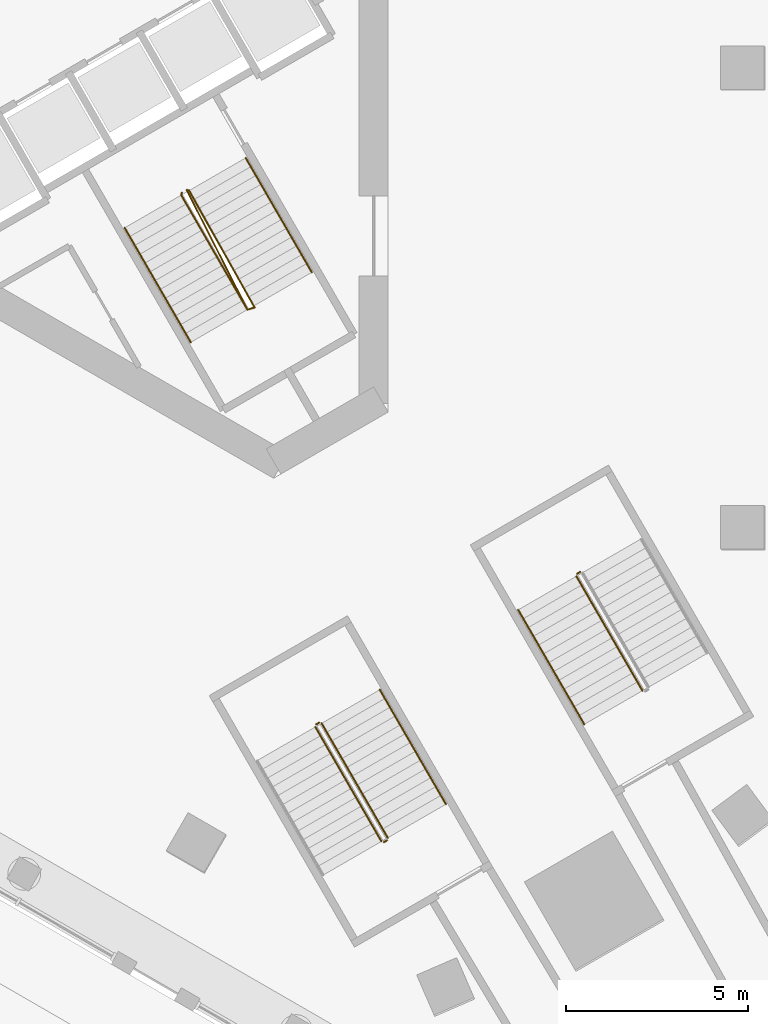
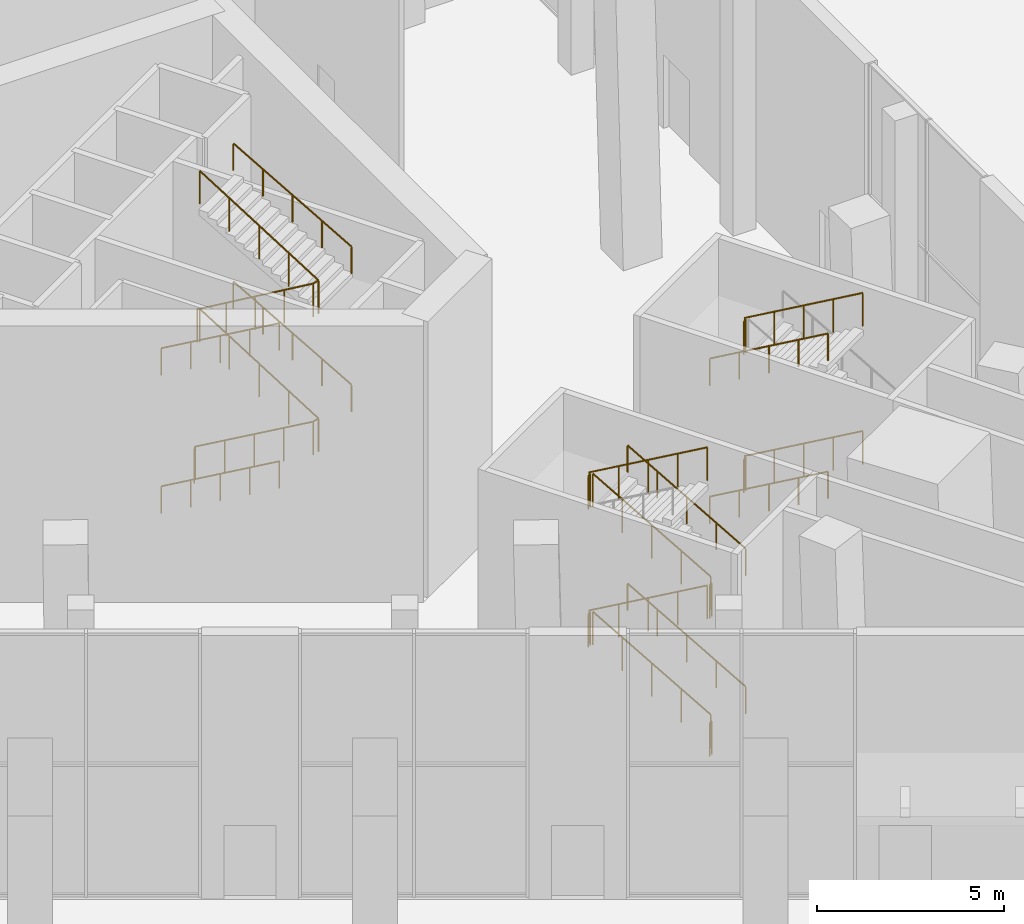
# One storey, part 45 of 63: 21 railings.
"""IFC4 building model written with IfcOpenShell, lengths in metres."""

from ifc_helpers import new_model, si_unit, direction, frame, origin, origin_2d, place, context, subcontext, project, spatial, circle, extrude, material, type_object, element, save


model = new_model("IFC4")

# Units and contexts
model_context = context("Model", 3, precision=1e-05, world=origin(), true_north=direction((0.0, 1.0)))
body_context = subcontext(model_context, "Body", "Model", "MODEL_VIEW")
ifc_project = project(units=[si_unit("LENGTHUNIT", "METRE"), si_unit("AREAUNIT", "SQUARE_METRE"), si_unit("VOLUMEUNIT", "CUBIC_METRE"), si_unit("PLANEANGLEUNIT", "RADIAN"), si_unit("MASSUNIT", "GRAM", prefix="KILO")], contexts=[model_context])

# Site, building, storey
site_placement = place(None, origin())
site = spatial("IfcSite", under=ifc_project, at=site_placement, CompositionType="ELEMENT")
building_placement = place(site_placement, origin())
building = spatial("IfcBuilding", under=site, at=building_placement, Name="Jabali Bay Hotel Tower and Convention Centre", CompositionType="ELEMENT")
storey_placement = place(building_placement, origin())
storey = spatial("IfcBuildingStorey", under=building, at=storey_placement, Name="L00", CompositionType="ELEMENT", Elevation=0.0)

# Railings
ifc_material = material(Name="Steel Q355B", Category="steel")
railing_type_1 = type_object("IfcRailingType", Name="Stair guard 1100", PredefinedType="GUARDRAIL", material=ifc_material)
railing_1_placement = place(storey_placement, frame((84.199951171875, 63.9150390625, 0.0)))
element("IfcRailing", 1, at=railing_1_placement, inside=storey, type_object=railing_type_1, Name="L00 ST3 stair guard 1", PredefinedType="GUARDRAIL", context=body_context, shape_type="SweptSolid", body=[
    extrude(circle(Radius=0.02392578125, at=origin_2d()), frame((0.0, 0.0, 1.076171875), z_axis=(-0.104308719029, -0.389419217707, 0.91513516161), x_axis=(0.965948051503, -0.258736085224, 0.0)), (0.0, 0.0, 1.0), 0.175537109375),
    extrude(circle(Radius=0.02392578125, at=origin_2d()), frame((-0.018310546875, -0.068359375, 1.23681640625), z_axis=(0.433652999409, -0.751083504812, 0.49781386572), x_axis=(0.866018046521, 0.500012742938, 0.0)), (0.0, 0.0, 1.0), 4.197021484375),
    extrude(circle(Radius=0.02392578125, at=origin_2d()), frame((1.8017578125, -3.220703125, 3.326171875), z_axis=(0.96121063429, 0.275815366736, 0.0), x_axis=(-0.275815366736, 0.96121063429, 0.0)), (0.0, 0.0, 1.0), 0.206298828125),
    extrude(circle(Radius=0.02392578125, at=origin_2d()), frame((2.0, -3.163818359375, 3.326171875), z_axis=(-0.416874951572, 0.745121610595, 0.520585305378), x_axis=(-0.872702246529, -0.488252792008, 0.0)), (0.0, 0.0, 1.0), 4.322021484375),
    extrude(circle(Radius=0.02392578125, at=origin_2d()), frame((0.1982421875, 0.056640625, 5.576171875), z_axis=(-0.965948051503, 0.258736085224, 0.0), x_axis=(-0.258736085224, -0.965948051503, 0.0)), (0.0, 0.0, 1.0), 0.07080078125),
    extrude(circle(Radius=0.02392578125, at=origin_2d()), frame((0.1298828125, 0.074951171875, 5.576171875), z_axis=(0.386422533672, -0.761728648078, 0.52004527896), x_axis=(0.891809086538, 0.452411928632, 0.0)), (0.0, 0.0, 1.0), 4.32666015625),
    extrude(circle(Radius=0.02392578125, at=origin_2d()), frame((1.8017578125, -3.220703125, 7.826171875), z_axis=(0.96121063429, 0.275815366736, 0.0), x_axis=(-0.275815366736, 0.96121063429, 0.0)), (0.0, 0.0, 1.0), 0.206298828125),
    extrude(circle(Radius=0.02392578125, at=origin_2d()), frame((2.0, -3.163818359375, 7.826171875), z_axis=(-0.416874951572, 0.745121610595, 0.520585305378), x_axis=(-0.872702246529, -0.488252792008, 0.0)), (0.0, 0.0, 1.0), 4.322021484375),
    extrude(circle(Radius=0.02099609375, at=origin_2d()), origin(), (0.0, 0.0, 1.0), 1.052001953125),
    extrude(circle(Radius=0.02099609375, at=origin_2d()), frame((-0.018310546875, -0.068359375, 0.16064453125)), (0.0, 0.0, 1.0), 1.052001953125),
    extrude(circle(Radius=0.02099609375, at=origin_2d()), frame((0.436767578125, -0.8564453125, 0.68310546875)), (0.0, 0.0, 1.0), 1.052001953125),
    extrude(circle(Radius=0.02099609375, at=origin_2d()), frame((0.8916015625, -1.64453125, 1.205322265625)), (0.0, 0.0, 1.0), 1.052001953125),
    extrude(circle(Radius=0.02099609375, at=origin_2d()), frame((1.3466796875, -2.4326171875, 1.7275390625)), (0.0, 0.0, 1.0), 1.052001953125),
    extrude(circle(Radius=0.02099609375, at=origin_2d()), frame((1.8017578125, -3.220703125, 2.25)), (0.0, 0.0, 1.0), 1.052001953125),
    extrude(circle(Radius=0.02099609375, at=origin_2d()), frame((2.0, -3.163818359375, 2.25)), (0.0, 0.0, 1.0), 1.052001953125),
    extrude(circle(Radius=0.02099609375, at=origin_2d()), frame((1.549560546875, -2.358642578125, 2.8125)), (0.0, 0.0, 1.0), 1.052001953125),
    extrude(circle(Radius=0.02099609375, at=origin_2d()), frame((1.09912109375, -1.5537109375, 3.375)), (0.0, 0.0, 1.0), 1.052001953125),
    extrude(circle(Radius=0.02099609375, at=origin_2d()), frame((0.648681640625, -0.74853515625, 3.9375)), (0.0, 0.0, 1.0), 1.052001953125),
    extrude(circle(Radius=0.02099609375, at=origin_2d()), frame((0.1982421875, 0.056640625, 4.5)), (0.0, 0.0, 1.0), 1.052001953125),
    extrude(circle(Radius=0.02099609375, at=origin_2d()), frame((0.1298828125, 0.074951171875, 4.5)), (0.0, 0.0, 1.0), 1.052001953125),
    extrude(circle(Radius=0.02099609375, at=origin_2d()), frame((0.5478515625, -0.7490234375, 5.0625)), (0.0, 0.0, 1.0), 1.052001953125),
    extrude(circle(Radius=0.02099609375, at=origin_2d()), frame((0.9658203125, -1.57275390625, 5.625)), (0.0, 0.0, 1.0), 1.052001953125),
    extrude(circle(Radius=0.02099609375, at=origin_2d()), frame((1.3837890625, -2.396728515625, 6.1875)), (0.0, 0.0, 1.0), 1.052001953125),
    extrude(circle(Radius=0.02099609375, at=origin_2d()), frame((1.8017578125, -3.220703125, 6.75)), (0.0, 0.0, 1.0), 1.052001953125),
    extrude(circle(Radius=0.02099609375, at=origin_2d()), frame((2.0, -3.163818359375, 6.75)), (0.0, 0.0, 1.0), 1.052001953125),
    extrude(circle(Radius=0.02099609375, at=origin_2d()), frame((1.549560546875, -2.358642578125, 7.3125)), (0.0, 0.0, 1.0), 1.052001953125),
    extrude(circle(Radius=0.02099609375, at=origin_2d()), frame((1.09912109375, -1.5537109375, 7.875)), (0.0, 0.0, 1.0), 1.052001953125),
    extrude(circle(Radius=0.02099609375, at=origin_2d()), frame((0.648681640625, -0.74853515625, 8.4375)), (0.0, 0.0, 1.0), 1.052001953125),
    extrude(circle(Radius=0.02099609375, at=origin_2d()), frame((0.1982421875, 0.056640625, 9.0)), (0.0, 0.0, 1.0), 1.052001953125),
])
railing_2_placement = place(storey_placement, frame((95.167236328125, 53.46923828125, 2.25)))
element("IfcRailing", 2, at=railing_2_placement, inside=storey, type_object=railing_type_1, Name="L00 PS5 stair guard 2", PredefinedType="GUARDRAIL", context=body_context, shape_type="SweptSolid", body=[
    extrude(circle(Radius=0.02392578125, at=origin_2d()), frame((0.0, 0.0, 1.076171875), z_axis=(-0.865370491644, -0.501132629342, 0.0), x_axis=(0.501132629342, -0.865370491644, 0.0)), (0.0, 0.0, 1.0), 0.099853515625),
    extrude(circle(Radius=0.02099609375, at=origin_2d()), origin(), (0.0, 0.0, 1.0), 1.052001953125),
    extrude(circle(Radius=0.02099609375, at=origin_2d()), frame((-0.08642578125, -0.050048828125, 0.0)), (0.0, 0.0, 1.0), 1.052001953125),
])
railing_3_placement = place(storey_placement, frame((95.0625, 53.350830078125, 2.41064453125)))
element("IfcRailing", 3, at=railing_3_placement, inside=storey, type_object=railing_type_1, Name="L00 PS5 stair guard 3", PredefinedType="GUARDRAIL", context=body_context, shape_type="SweptSolid", body=[
    extrude(circle(Radius=0.02392578125, at=origin_2d()), frame((0.0, 0.0, 1.076171875), z_axis=(0.433605767251, -0.751102450596, 0.497826422878), x_axis=(0.866047089031, 0.499962438169, 0.0)), (0.0, 0.0, 1.0), 4.197021484375),
    extrude(circle(Radius=0.02099609375, at=origin_2d()), origin(), (0.0, 0.0, 1.0), 1.052001953125),
    extrude(circle(Radius=0.02099609375, at=origin_2d()), frame((0.455078125, -0.7880859375, 0.5224609375)), (0.0, 0.0, 1.0), 1.052001953125),
    extrude(circle(Radius=0.02099609375, at=origin_2d()), frame((0.909912109375, -1.576171875, 1.044677734375)), (0.0, 0.0, 1.0), 1.052001953125),
    extrude(circle(Radius=0.02099609375, at=origin_2d()), frame((1.36474609375, -2.3642578125, 1.56689453125)), (0.0, 0.0, 1.0), 1.052001953125),
    extrude(circle(Radius=0.02099609375, at=origin_2d()), frame((1.81982421875, -3.15234375, 2.08935546875)), (0.0, 0.0, 1.0), 1.052001953125),
])
railing_4_placement = place(storey_placement, frame((95.167236328125, 53.46923828125, 6.75)))
element("IfcRailing", 4, at=railing_4_placement, inside=storey, type_object=railing_type_1, Name="L00 PS5 stair guard 6", PredefinedType="GUARDRAIL", context=body_context, shape_type="SweptSolid", body=[
    extrude(circle(Radius=0.02392578125, at=origin_2d()), frame((0.0, 0.0, 1.076171875), z_axis=(-0.865370491644, -0.501132629342, 0.0), x_axis=(0.501132629342, -0.865370491644, 0.0)), (0.0, 0.0, 1.0), 0.099853515625),
    extrude(circle(Radius=0.02099609375, at=origin_2d()), origin(), (0.0, 0.0, 1.0), 1.052001953125),
    extrude(circle(Radius=0.02099609375, at=origin_2d()), frame((-0.08642578125, -0.050048828125, 0.0)), (0.0, 0.0, 1.0), 1.052001953125),
])
railing_5_placement = place(storey_placement, frame((95.0625, 53.350830078125, 6.91064453125)))
element("IfcRailing", 5, at=railing_5_placement, inside=storey, type_object=railing_type_1, Name="L00 PS5 stair guard 7", PredefinedType="GUARDRAIL", context=body_context, shape_type="SweptSolid", body=[
    extrude(circle(Radius=0.02392578125, at=origin_2d()), frame((0.0, 0.0, 1.076171875), z_axis=(0.433605767251, -0.751102450596, 0.497826422878), x_axis=(0.866047089031, 0.499962438169, 0.0)), (0.0, 0.0, 1.0), 4.197021484375),
    extrude(circle(Radius=0.02099609375, at=origin_2d()), origin(), (0.0, 0.0, 1.0), 1.052001953125),
    extrude(circle(Radius=0.02099609375, at=origin_2d()), frame((0.455078125, -0.7880859375, 0.5224609375)), (0.0, 0.0, 1.0), 1.052001953125),
    extrude(circle(Radius=0.02099609375, at=origin_2d()), frame((0.909912109375, -1.576171875, 1.044677734375)), (0.0, 0.0, 1.0), 1.052001953125),
    extrude(circle(Radius=0.02099609375, at=origin_2d()), frame((1.36474609375, -2.3642578125, 1.56689453125)), (0.0, 0.0, 1.0), 1.052001953125),
    extrude(circle(Radius=0.02099609375, at=origin_2d()), frame((1.81982421875, -3.15234375, 2.08935546875)), (0.0, 0.0, 1.0), 1.052001953125),
])
railing_6_placement = place(storey_placement, frame((89.86767578125, 46.148681640625, 0.16064453125)))
element("IfcRailing", 6, at=railing_6_placement, inside=storey, type_object=railing_type_1, Name="L00 PS6 stair guard 1", PredefinedType="GUARDRAIL", context=body_context, shape_type="SweptSolid", body=[
    extrude(circle(Radius=0.02392578125, at=origin_2d()), frame((0.0, 0.0, 1.076171875), z_axis=(-0.433671946255, 0.751058148639, 0.497835615835), x_axis=(-0.866001276507, -0.500041787341, 0.0)), (0.0, 0.0, 1.0), 4.19677734375),
    extrude(circle(Radius=0.02099609375, at=origin_2d()), origin(), (0.0, 0.0, 1.0), 1.052001953125),
    extrude(circle(Radius=0.02099609375, at=origin_2d()), frame((-0.455078125, 0.7880859375, 0.5224609375)), (0.0, 0.0, 1.0), 1.052001953125),
    extrude(circle(Radius=0.02099609375, at=origin_2d()), frame((-0.91015625, 1.576171875, 1.044677734375)), (0.0, 0.0, 1.0), 1.052001953125),
    extrude(circle(Radius=0.02099609375, at=origin_2d()), frame((-1.364990234375, 2.364013671875, 1.56689453125)), (0.0, 0.0, 1.0), 1.052001953125),
    extrude(circle(Radius=0.02099609375, at=origin_2d()), frame((-1.820068359375, 3.152099609375, 2.08935546875)), (0.0, 0.0, 1.0), 1.052001953125),
])
railing_7_placement = place(storey_placement, frame((87.979248046875, 49.319091796875, 2.25)))
element("IfcRailing", 7, at=railing_7_placement, inside=storey, type_object=railing_type_1, Name="L00 PS6 stair guard 2", PredefinedType="GUARDRAIL", context=body_context, shape_type="SweptSolid", body=[
    extrude(circle(Radius=0.02392578125, at=origin_2d()), frame((0.0, 0.0, 1.076171875), z_axis=(-0.867038199201, -0.4982416694, 0.0), x_axis=(0.4982416694, -0.867038199201, 0.0)), (0.0, 0.0, 1.0), 0.099853515625),
    extrude(circle(Radius=0.02099609375, at=origin_2d()), origin(), (0.0, 0.0, 1.0), 1.052001953125),
    extrude(circle(Radius=0.02099609375, at=origin_2d()), frame((-0.086669921875, -0.0498046875, 0.0)), (0.0, 0.0, 1.0), 1.052001953125),
])
railing_8_placement = place(storey_placement, frame((87.87451171875, 49.200927734375, 2.41064453125)))
element("IfcRailing", 8, at=railing_8_placement, inside=storey, type_object=railing_type_1, Name="L00 PS6 stair guard 3", PredefinedType="GUARDRAIL", context=body_context, shape_type="SweptSolid", body=[
    extrude(circle(Radius=0.02392578125, at=origin_2d()), frame((0.0, 0.0, 1.076171875), z_axis=(0.433605767251, -0.751102450596, 0.497826422878), x_axis=(0.866047089031, 0.499962438169, 0.0)), (0.0, 0.0, 1.0), 4.197021484375),
    extrude(circle(Radius=0.02099609375, at=origin_2d()), origin(), (0.0, 0.0, 1.0), 1.052001953125),
    extrude(circle(Radius=0.02099609375, at=origin_2d()), frame((0.455078125, -0.7880859375, 0.5224609375)), (0.0, 0.0, 1.0), 1.052001953125),
    extrude(circle(Radius=0.02099609375, at=origin_2d()), frame((0.909912109375, -1.576171875, 1.044677734375)), (0.0, 0.0, 1.0), 1.052001953125),
    extrude(circle(Radius=0.02099609375, at=origin_2d()), frame((1.36474609375, -2.3642578125, 1.56689453125)), (0.0, 0.0, 1.0), 1.052001953125),
    extrude(circle(Radius=0.02099609375, at=origin_2d()), frame((1.81982421875, -3.15234375, 2.08935546875)), (0.0, 0.0, 1.0), 1.052001953125),
])
railing_9_placement = place(storey_placement, frame((89.849365234375, 46.080322265625, 4.5)))
element("IfcRailing", 9, at=railing_9_placement, inside=storey, type_object=railing_type_1, Name="L00 PS6 stair guard 4", PredefinedType="GUARDRAIL", context=body_context, shape_type="SweptSolid", body=[
    extrude(circle(Radius=0.02392578125, at=origin_2d()), frame((0.0, 0.0, 1.076171875), z_axis=(-0.865982457891, -0.500074377092, 0.0), x_axis=(0.500074377092, -0.865982457891, 0.0)), (0.0, 0.0, 1.0), 0.10009765625),
    extrude(circle(Radius=0.02099609375, at=origin_2d()), origin(), (0.0, 0.0, 1.0), 1.052001953125),
    extrude(circle(Radius=0.02099609375, at=origin_2d()), frame((-0.086669921875, -0.050048828125, 0.0)), (0.0, 0.0, 1.0), 1.052001953125),
])
railing_10_placement = place(storey_placement, frame((89.86767578125, 46.148681640625, 4.66064453125)))
element("IfcRailing", 10, at=railing_10_placement, inside=storey, type_object=railing_type_1, Name="L00 PS6 stair guard 5", PredefinedType="GUARDRAIL", context=body_context, shape_type="SweptSolid", body=[
    extrude(circle(Radius=0.02392578125, at=origin_2d()), frame((0.0, 0.0, 1.076171875), z_axis=(-0.433671946255, 0.751058148639, 0.497835615835), x_axis=(-0.866001276507, -0.500041787341, 0.0)), (0.0, 0.0, 1.0), 4.19677734375),
    extrude(circle(Radius=0.02099609375, at=origin_2d()), origin(), (0.0, 0.0, 1.0), 1.052001953125),
    extrude(circle(Radius=0.02099609375, at=origin_2d()), frame((-0.455078125, 0.7880859375, 0.5224609375)), (0.0, 0.0, 1.0), 1.052001953125),
    extrude(circle(Radius=0.02099609375, at=origin_2d()), frame((-0.91015625, 1.576171875, 1.044677734375)), (0.0, 0.0, 1.0), 1.052001953125),
    extrude(circle(Radius=0.02099609375, at=origin_2d()), frame((-1.364990234375, 2.364013671875, 1.56689453125)), (0.0, 0.0, 1.0), 1.052001953125),
    extrude(circle(Radius=0.02099609375, at=origin_2d()), frame((-1.820068359375, 3.152099609375, 2.08935546875)), (0.0, 0.0, 1.0), 1.052001953125),
])
railing_11_placement = place(storey_placement, frame((87.979248046875, 49.319091796875, 6.75)))
element("IfcRailing", 11, at=railing_11_placement, inside=storey, type_object=railing_type_1, Name="L00 PS6 stair guard 6", PredefinedType="GUARDRAIL", context=body_context, shape_type="SweptSolid", body=[
    extrude(circle(Radius=0.02392578125, at=origin_2d()), frame((0.0, 0.0, 1.076171875), z_axis=(-0.867038199201, -0.4982416694, 0.0), x_axis=(0.4982416694, -0.867038199201, 0.0)), (0.0, 0.0, 1.0), 0.099853515625),
    extrude(circle(Radius=0.02099609375, at=origin_2d()), origin(), (0.0, 0.0, 1.0), 1.052001953125),
    extrude(circle(Radius=0.02099609375, at=origin_2d()), frame((-0.086669921875, -0.0498046875, 0.0)), (0.0, 0.0, 1.0), 1.052001953125),
])
railing_12_placement = place(storey_placement, frame((87.87451171875, 49.200927734375, 6.91064453125)))
element("IfcRailing", 12, at=railing_12_placement, inside=storey, type_object=railing_type_1, Name="L00 PS6 stair guard 7", PredefinedType="GUARDRAIL", context=body_context, shape_type="SweptSolid", body=[
    extrude(circle(Radius=0.02392578125, at=origin_2d()), frame((0.0, 0.0, 1.076171875), z_axis=(0.433605767251, -0.751102450596, 0.497826422878), x_axis=(0.866047089031, 0.499962438169, 0.0)), (0.0, 0.0, 1.0), 4.197021484375),
    extrude(circle(Radius=0.02099609375, at=origin_2d()), origin(), (0.0, 0.0, 1.0), 1.052001953125),
    extrude(circle(Radius=0.02099609375, at=origin_2d()), frame((0.455078125, -0.7880859375, 0.5224609375)), (0.0, 0.0, 1.0), 1.052001953125),
    extrude(circle(Radius=0.02099609375, at=origin_2d()), frame((0.909912109375, -1.576171875, 1.044677734375)), (0.0, 0.0, 1.0), 1.052001953125),
    extrude(circle(Radius=0.02099609375, at=origin_2d()), frame((1.36474609375, -2.3642578125, 1.56689453125)), (0.0, 0.0, 1.0), 1.052001953125),
    extrude(circle(Radius=0.02099609375, at=origin_2d()), frame((1.81982421875, -3.15234375, 2.08935546875)), (0.0, 0.0, 1.0), 1.052001953125),
])
railing_13_placement = place(storey_placement, frame((89.849365234375, 46.080322265625, 0.0)))
element("IfcRailing", 13, at=railing_13_placement, inside=storey, type_object=railing_type_1, Name="L00 PS6 stair guard 8", PredefinedType="GUARDRAIL", context=body_context, shape_type="SweptSolid", body=[
    extrude(circle(Radius=0.02392578125, at=origin_2d()), frame((0.0, 0.0, 1.076171875), z_axis=(-0.865982457891, -0.500074377092, 0.0), x_axis=(0.500074377092, -0.865982457891, 0.0)), (0.0, 0.0, 1.0), 0.10009765625),
    extrude(circle(Radius=0.02099609375, at=origin_2d()), origin(), (0.0, 0.0, 1.0), 1.052001953125),
    extrude(circle(Radius=0.02099609375, at=origin_2d()), frame((-0.086669921875, -0.050048828125, 0.0)), (0.0, 0.0, 1.0), 1.052001953125),
])
railing_type_2 = type_object("IfcRailingType", Name="Stair handrail 900", PredefinedType="HANDRAIL", material=ifc_material)
railing_14_placement = place(storey_placement, frame((82.622802734375, 62.94677734375, 0.16064453125)))
element("IfcRailing", 14, at=railing_14_placement, inside=storey, type_object=railing_type_2, Name="L00 ST3 stair handrail 1", PredefinedType="HANDRAIL", context=body_context, shape_type="SweptSolid", body=[
    extrude(circle(Radius=0.02392578125, at=origin_2d()), frame((0.0, 0.0, 0.8759765625), z_axis=(0.433652999409, -0.751083504812, 0.49781386572), x_axis=(0.866018046521, 0.500012742938, 0.0)), (0.0, 0.0, 1.0), 4.197021484375),
    extrude(circle(Radius=0.02099609375, at=origin_2d()), origin(), (0.0, 0.0, 1.0), 0.851806640625),
    extrude(circle(Radius=0.02099609375, at=origin_2d()), frame((0.455078125, -0.7880859375, 0.5224609375)), (0.0, 0.0, 1.0), 0.851806640625),
    extrude(circle(Radius=0.02099609375, at=origin_2d()), frame((0.91015625, -1.576171875, 1.044677734375)), (0.0, 0.0, 1.0), 0.851806640625),
    extrude(circle(Radius=0.02099609375, at=origin_2d()), frame((1.364990234375, -2.3642578125, 1.56689453125)), (0.0, 0.0, 1.0), 0.851806640625),
    extrude(circle(Radius=0.02099609375, at=origin_2d()), frame((1.820068359375, -3.15234375, 2.08935546875)), (0.0, 0.0, 1.0), 0.851806640625),
])
railing_15_placement = place(storey_placement, frame((87.777099609375, 61.719482421875, 2.41064453125)))
element("IfcRailing", 15, at=railing_15_placement, inside=storey, type_object=railing_type_2, Name="L00 ST3 stair handrail 2", PredefinedType="HANDRAIL", context=body_context, shape_type="SweptSolid", body=[
    extrude(circle(Radius=0.02392578125, at=origin_2d()), frame((0.0, 0.0, 0.8759765625), z_axis=(-0.433652999409, 0.751083504812, 0.49781386572), x_axis=(-0.866018046521, -0.500012742938, 0.0)), (0.0, 0.0, 1.0), 4.197021484375),
    extrude(circle(Radius=0.02099609375, at=origin_2d()), origin(), (0.0, 0.0, 1.0), 0.851806640625),
    extrude(circle(Radius=0.02099609375, at=origin_2d()), frame((-0.455078125, 0.7880859375, 0.5224609375)), (0.0, 0.0, 1.0), 0.851806640625),
    extrude(circle(Radius=0.02099609375, at=origin_2d()), frame((-0.91015625, 1.576171875, 1.044677734375)), (0.0, 0.0, 1.0), 0.851806640625),
    extrude(circle(Radius=0.02099609375, at=origin_2d()), frame((-1.364990234375, 2.3642578125, 1.56689453125)), (0.0, 0.0, 1.0), 0.851806640625),
    extrude(circle(Radius=0.02099609375, at=origin_2d()), frame((-1.820068359375, 3.15234375, 2.08935546875)), (0.0, 0.0, 1.0), 0.851806640625),
])
railing_16_placement = place(storey_placement, frame((82.622802734375, 62.94677734375, 4.66064453125)))
element("IfcRailing", 16, at=railing_16_placement, inside=storey, type_object=railing_type_2, Name="L00 ST3 stair handrail 3", PredefinedType="HANDRAIL", context=body_context, shape_type="SweptSolid", body=[
    extrude(circle(Radius=0.02392578125, at=origin_2d()), frame((0.0, 0.0, 0.8759765625), z_axis=(0.433652999409, -0.751083504812, 0.49781386572), x_axis=(0.866018046521, 0.500012742938, 0.0)), (0.0, 0.0, 1.0), 4.197021484375),
    extrude(circle(Radius=0.02099609375, at=origin_2d()), origin(), (0.0, 0.0, 1.0), 0.851806640625),
    extrude(circle(Radius=0.02099609375, at=origin_2d()), frame((0.455078125, -0.7880859375, 0.5224609375)), (0.0, 0.0, 1.0), 0.851806640625),
    extrude(circle(Radius=0.02099609375, at=origin_2d()), frame((0.91015625, -1.576171875, 1.044677734375)), (0.0, 0.0, 1.0), 0.851806640625),
    extrude(circle(Radius=0.02099609375, at=origin_2d()), frame((1.364990234375, -2.3642578125, 1.56689453125)), (0.0, 0.0, 1.0), 0.851806640625),
    extrude(circle(Radius=0.02099609375, at=origin_2d()), frame((1.820068359375, -3.15234375, 2.08935546875)), (0.0, 0.0, 1.0), 0.851806640625),
])
railing_17_placement = place(storey_placement, frame((87.777099609375, 61.719482421875, 6.91064453125)))
element("IfcRailing", 17, at=railing_17_placement, inside=storey, type_object=railing_type_2, Name="L00 ST3 stair handrail 4", PredefinedType="HANDRAIL", context=body_context, shape_type="SweptSolid", body=[
    extrude(circle(Radius=0.02392578125, at=origin_2d()), frame((0.0, 0.0, 0.8759765625), z_axis=(-0.433652999409, 0.751083504812, 0.49781386572), x_axis=(-0.866018046521, -0.500012742938, 0.0)), (0.0, 0.0, 1.0), 4.197021484375),
    extrude(circle(Radius=0.02099609375, at=origin_2d()), origin(), (0.0, 0.0, 1.0), 0.851806640625),
    extrude(circle(Radius=0.02099609375, at=origin_2d()), frame((-0.455078125, 0.7880859375, 0.5224609375)), (0.0, 0.0, 1.0), 0.851806640625),
    extrude(circle(Radius=0.02099609375, at=origin_2d()), frame((-0.91015625, 1.576171875, 1.044677734375)), (0.0, 0.0, 1.0), 0.851806640625),
    extrude(circle(Radius=0.02099609375, at=origin_2d()), frame((-1.364990234375, 2.3642578125, 1.56689453125)), (0.0, 0.0, 1.0), 0.851806640625),
    extrude(circle(Radius=0.02099609375, at=origin_2d()), frame((-1.820068359375, 3.15234375, 2.08935546875)), (0.0, 0.0, 1.0), 0.851806640625),
])
for number, where, name in (
    (18, (93.460205078125, 52.42578125, 2.41064453125), "L00 PS5 stair handrail 2"),
    (19, (93.460205078125, 52.42578125, 6.91064453125), "L00 PS5 stair handrail 4"),
):
    element("IfcRailing", number, at=place(storey_placement, frame(where)), inside=storey, type_object=railing_type_2, Name=name, PredefinedType="HANDRAIL", context=body_context, shape_type="SweptSolid", body=[
        extrude(circle(Radius=0.02392578125, at=origin_2d()), frame((0.0, 0.0, 0.8759765625), z_axis=(0.433671946255, -0.751058148639, 0.497835615835), x_axis=(0.866001276507, 0.500041787341, 0.0)), (0.0, 0.0, 1.0), 4.19677734375),
        extrude(circle(Radius=0.02099609375, at=origin_2d()), origin(), (0.0, 0.0, 1.0), 0.851806640625),
        extrude(circle(Radius=0.02099609375, at=origin_2d()), frame((0.455078125, -0.7880859375, 0.5224609375)), (0.0, 0.0, 1.0), 0.851806640625),
        extrude(circle(Radius=0.02099609375, at=origin_2d()), frame((0.91015625, -1.576171875, 1.044677734375)), (0.0, 0.0, 1.0), 0.851806640625),
        extrude(circle(Radius=0.02099609375, at=origin_2d()), frame((1.364990234375, -2.364013671875, 1.56689453125)), (0.0, 0.0, 1.0), 0.851806640625),
        extrude(circle(Radius=0.02099609375, at=origin_2d()), frame((1.820068359375, -3.152099609375, 2.08935546875)), (0.0, 0.0, 1.0), 0.851806640625),
    ])
for number, where, name in (
    (20, (91.4697265625, 47.073486328125, 0.16064453125), "L00 PS6 stair handrail 1"),
    (21, (91.4697265625, 47.073486328125, 4.66064453125), "L00 PS6 stair handrail 3"),
):
    element("IfcRailing", number, at=place(storey_placement, frame(where)), inside=storey, type_object=railing_type_2, Name=name, PredefinedType="HANDRAIL", context=body_context, shape_type="SweptSolid", body=[
        extrude(circle(Radius=0.02392578125, at=origin_2d()), frame((0.0, 0.0, 0.8759765625), z_axis=(-0.433652999409, 0.751083504812, 0.49781386572), x_axis=(-0.866018046521, -0.500012742938, 0.0)), (0.0, 0.0, 1.0), 4.197021484375),
        extrude(circle(Radius=0.02099609375, at=origin_2d()), origin(), (0.0, 0.0, 1.0), 0.851806640625),
        extrude(circle(Radius=0.02099609375, at=origin_2d()), frame((-0.455078125, 0.7880859375, 0.5224609375)), (0.0, 0.0, 1.0), 0.851806640625),
        extrude(circle(Radius=0.02099609375, at=origin_2d()), frame((-0.91015625, 1.576171875, 1.044677734375)), (0.0, 0.0, 1.0), 0.851806640625),
        extrude(circle(Radius=0.02099609375, at=origin_2d()), frame((-1.364990234375, 2.3642578125, 1.56689453125)), (0.0, 0.0, 1.0), 0.851806640625),
        extrude(circle(Radius=0.02099609375, at=origin_2d()), frame((-1.820068359375, 3.15234375, 2.08935546875)), (0.0, 0.0, 1.0), 0.851806640625),
    ])

save(model, "model.ifc")
